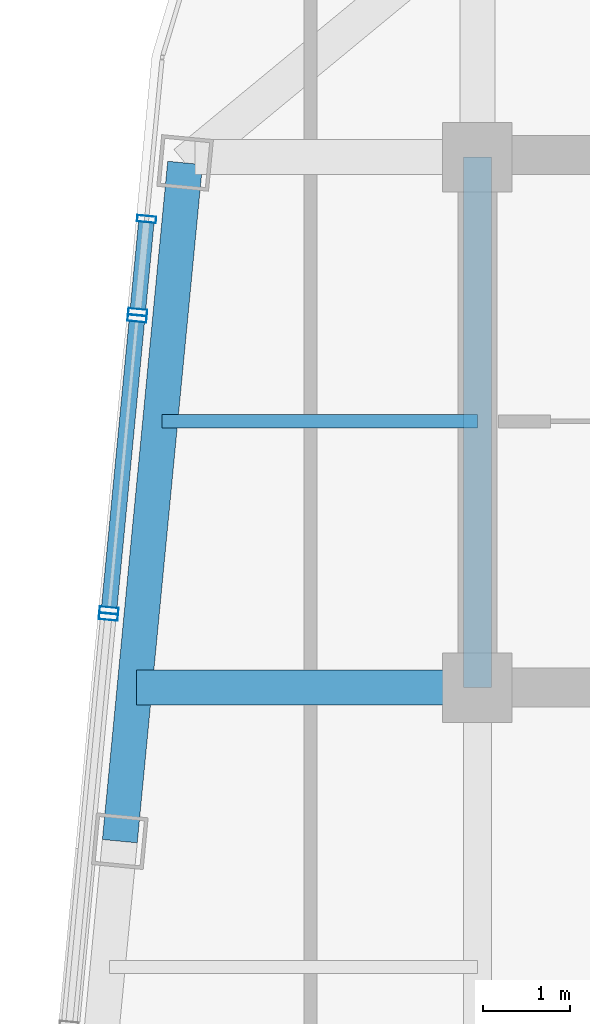
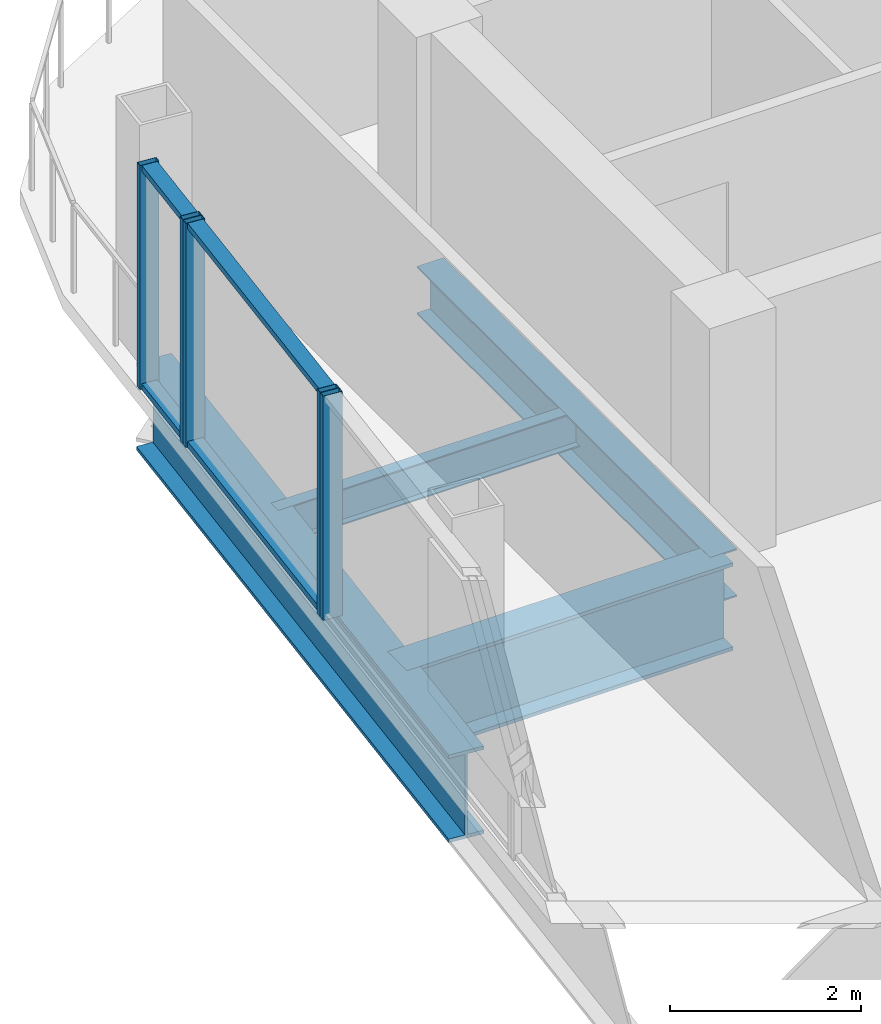
# One storey, part 9 of 22: 9 members, 4 beams, 3 elements without a shape of their own.
"""IFC4 building model written with IfcOpenShell, lengths in metres."""

from ifc_helpers import new_model, si_unit, direction, frame, origin, origin_2d, place, context, subcontext, project, spatial, hollow_rectangle, i_section, extrude, material, layer, layer_set, material_profile, profile_set, type_object, element, aggregate, save


model = new_model("IFC4")

# Units and contexts
model_context = context("Model", 3, precision=1e-05, world=origin(), true_north=direction((0.0, 1.0)))
body_context = subcontext(model_context, "Body", "Model", "MODEL_VIEW")
ifc_project = project(units=[si_unit("LENGTHUNIT", "METRE"), si_unit("AREAUNIT", "SQUARE_METRE"), si_unit("VOLUMEUNIT", "CUBIC_METRE"), si_unit("PLANEANGLEUNIT", "RADIAN"), si_unit("MASSUNIT", "GRAM", prefix="KILO")], contexts=[model_context])

# Site, building, storey
site_placement = place(None, origin())
site = spatial("IfcSite", under=ifc_project, at=site_placement, CompositionType="ELEMENT")
building_placement = place(site_placement, origin())
building = spatial("IfcBuilding", under=site, at=building_placement, Name="Qhalaya Broadcast Tower", CompositionType="ELEMENT")
storey_placement = place(building_placement, frame((0.0, 0.0, 245.89990234375)))
storey = spatial("IfcBuildingStorey", under=building, at=storey_placement, Name="L72", CompositionType="ELEMENT", Elevation=245.89990234375)

# Beams
ifc_material_1 = material(Name="Structural Steel ASTM A992 Grade 50", Category="steel")
ifc_material_profile_1 = material_profile(ifc_material_1, i_section(OverallWidth=0.154052734375, OverallDepth=0.458984375, WebThickness=0.009033203125, FlangeThickness=0.015380859375, at=origin_2d()), Name="W18X46")
ifc_profile_set_1 = profile_set([ifc_material_profile_1], Name="Structural Steel ASTM A992 Grade 50")
beam_type_1 = type_object("IfcBeamType", Name="Composite Floor Joist J04", PredefinedType="JOIST", material=ifc_profile_set_1)
beam_1_placement = place(storey_placement, frame((-13.015625, 6.89990234375, -0.41943359375), z_axis=(1.0, 0.0, 0.0), x_axis=(0.0, 1.0, 0.0)))
element("IfcBeam", 1, at=beam_1_placement, inside=storey, type_object=beam_type_1, Name="L72 J04 L72-JWE5W-1", PredefinedType="JOIST", context=body_context, shape_type="SweptSolid", body=[
    extrude(i_section(OverallWidth=0.154052734375, OverallDepth=0.458984375, WebThickness=0.009033203125, FlangeThickness=0.015380859375, at=origin_2d()), origin(), (0.0, 0.0, 1.0), 3.640625),
])
ifc_material_profile_2 = material_profile(ifc_material_1, i_section(OverallWidth=0.323974609375, OverallDepth=0.612060546875, WebThickness=0.0126953125, FlangeThickness=0.01904296875, at=origin_2d()), Name="W24X104")
ifc_profile_set_2 = profile_set([ifc_material_profile_2], Name="Structural Steel ASTM A992 Grade 50")
beam_type_2 = type_object("IfcBeamType", Name="Core Frame Tie Beam B04", PredefinedType="BEAM", material=ifc_profile_set_2)
beam_2_placement = place(storey_placement, frame((-9.375, 3.824951171875, -0.495849609375), z_axis=(0.0, 1.0, 0.0), x_axis=(-1.0, 0.0, 0.0)))
element("IfcBeam", 2, at=beam_2_placement, inside=storey, type_object=beam_type_2, Name="L72 B04 L72-CCN2", PredefinedType="BEAM", context=body_context, shape_type="SweptSolid", body=[
    extrude(i_section(OverallWidth=0.323974609375, OverallDepth=0.612060546875, WebThickness=0.0126953125, FlangeThickness=0.01904296875, at=origin_2d()), origin(), (0.0, 0.0, 1.0), 6.125),
])
ifc_material_profile_3 = material_profile(ifc_material_1, i_section(OverallWidth=0.404052734375, OverallDepth=1.117919921875, WebThickness=0.026123046875, FlangeThickness=0.044921875, at=origin_2d()), Name="W44X335")
ifc_profile_set_3 = profile_set([ifc_material_profile_3], Name="Structural Steel ASTM A992 Grade 50")
beam_type_3 = type_object("IfcBeamType", Name="Podium Long-Span Primary Girder PG1", PredefinedType="USERDEFINED", material=ifc_profile_set_3)
beam_3_placement = place(storey_placement, frame((-12.74853515625, 9.883056640625, -0.7490234375), z_axis=(-0.095834223619, -0.995397308407, 0.0), x_axis=(0.995397308407, -0.095834223619, 0.0)))
element("IfcBeam", 3, at=beam_3_placement, inside=storey, type_object=beam_type_3, Name="L72 PG1 L72-SPR-13", ObjectType="GIRDER", PredefinedType="USERDEFINED", context=body_context, shape_type="SweptSolid", body=[
    extrude(i_section(OverallWidth=0.404052734375, OverallDepth=1.117919921875, WebThickness=0.026123046875, FlangeThickness=0.044921875, at=origin_2d()), origin(), (0.0, 0.0, 1.0), 7.86669921875),
])
beam_4_placement = place(storey_placement, frame((-13.311767578125, 3.824951171875, -0.7490234375), z_axis=(1.0, 0.0, 0.0), x_axis=(0.0, 1.0, 0.0)))
element("IfcBeam", 4, at=beam_4_placement, inside=storey, type_object=beam_type_3, Name="L72 PG1 L72-PGYW3-1", ObjectType="GIRDER", PredefinedType="USERDEFINED", context=body_context, shape_type="SweptSolid", body=[
    extrude(i_section(OverallWidth=0.404052734375, OverallDepth=1.117919921875, WebThickness=0.026123046875, FlangeThickness=0.044921875, at=origin_2d()), origin(), (0.0, 0.0, 1.0), 3.936767578125),
])

# Curtain wall, members
ifc_material_2 = material(Name="Fired Architectural Terracotta", Category="masonry")
ifc_layer_1 = layer(ifc_material_2, 0.219970703125, Name="Fired Architectural Terracotta")
ifc_layer_set_1 = layer_set([ifc_layer_1], Name="Fired Architectural Terracotta")
curtain_wall_type_1 = type_object("IfcCurtainWallType", Name="Block-Cap Unitised Terracotta Spandrel Wall CW-07", PredefinedType="NOTDEFINED", material=ifc_layer_set_1)
curtain_wall_1_placement = place(storey_placement, origin())
curtain_wall_1 = element("IfcCurtainWall", 5, at=curtain_wall_1_placement, inside=storey, type_object=curtain_wall_type_1, Name="L72 Unitised Curtain Wall L72-CW-W1", PredefinedType="NOTDEFINED")
ifc_material_3 = material(Name="Anodised Aluminium 6063-T6", Category="aluminium")
ifc_material_profile_4 = material_profile(ifc_material_3, hollow_rectangle(XDim=0.074951171875, YDim=0.219970703125, WallThickness=0.00390625, at=origin_2d()), Name="ALU-MUL 75x220x4")
ifc_profile_set_4 = profile_set([ifc_material_profile_4], Name="Anodised Aluminium 6063-T6")
member_type_1 = type_object("IfcMemberType", Name="Unitised Curtain-Wall Mullion M01", PredefinedType="MULLION", material=ifc_profile_set_4)
member_1_placement = place(storey_placement, frame((-13.192626953125, 9.235107421875, 0.0), z_axis=(0.0, 0.0, 1.0), x_axis=(-0.095839545253, -0.995396796039, 0.0)))
member_1 = element("IfcMember", 6, at=member_1_placement, type_object=member_type_1, Name="CW-07 mullion 1", PredefinedType="MULLION", context=body_context, shape_type="SweptSolid", body=[
    extrude(hollow_rectangle(XDim=0.074951171875, YDim=0.219970703125, WallThickness=0.00390625, at=origin_2d()), origin(), (0.0, 0.0, 1.0), 2.860107421875),
])
member_2_placement = place(storey_placement, frame((-13.2958984375, 8.1611328125, 0.0), z_axis=(0.0, 0.0, 1.0), x_axis=(-0.095839545253, -0.995396796039, 0.0)))
member_2 = element("IfcMember", 7, at=member_2_placement, type_object=member_type_1, Name="CW-07 mullion 2", PredefinedType="MULLION", context=body_context, shape_type="SweptSolid", body=[
    extrude(hollow_rectangle(XDim=0.074951171875, YDim=0.219970703125, WallThickness=0.00390625, at=origin_2d()), origin(), (0.0, 0.0, 1.0), 2.860107421875),
])

ifc_material_4 = material(Name="Solar-Control Low-E Triple Glazing", Category="glass")
ifc_layer_2 = layer(ifc_material_4, 0.219970703125, Name="Solar-Control Low-E Triple Glazing")
ifc_layer_set_2 = layer_set([ifc_layer_2], Name="Solar-Control Low-E Triple Glazing")
curtain_wall_type_2 = type_object("IfcCurtainWallType", Name="High-Altitude Upper-Shaft Triple Low-E Curtain Wall CW-04", PredefinedType="NOTDEFINED", material=ifc_layer_set_2)
curtain_wall_2_placement = place(storey_placement, origin())
curtain_wall_2 = element("IfcCurtainWall", 8, at=curtain_wall_2_placement, inside=storey, type_object=curtain_wall_type_2, Name="L72 Unitised Curtain Wall L72-CW-W2", PredefinedType="NOTDEFINED")
member_3_placement = place(storey_placement, frame((-13.30322265625, 8.08642578125, 0.0), z_axis=(0.0, 0.0, 1.0), x_axis=(-0.095836350923, -0.995397103593, 0.0)))
member_3 = element("IfcMember", 9, at=member_3_placement, type_object=member_type_1, Name="CW-04 mullion 1", PredefinedType="MULLION", context=body_context, shape_type="SweptSolid", body=[
    extrude(hollow_rectangle(XDim=0.074951171875, YDim=0.219970703125, WallThickness=0.00390625, at=origin_2d()), origin(), (0.0, 0.0, 1.0), 2.860107421875),
])
member_4_placement = place(storey_placement, frame((-13.62744140625, 4.718017578125, 0.0), z_axis=(0.0, 0.0, 1.0), x_axis=(-0.095836350923, -0.995397103593, 0.0)))
member_4 = element("IfcMember", 10, at=member_4_placement, type_object=member_type_1, Name="CW-04 mullion 2", PredefinedType="MULLION", context=body_context, shape_type="SweptSolid", body=[
    extrude(hollow_rectangle(XDim=0.074951171875, YDim=0.219970703125, WallThickness=0.00390625, at=origin_2d()), origin(), (0.0, 0.0, 1.0), 2.860107421875),
])

# Curtain wall, member
curtain_wall_3_placement = place(storey_placement, origin())
curtain_wall_3 = element("IfcCurtainWall", 11, at=curtain_wall_3_placement, inside=storey, type_object=curtain_wall_type_1, Name="L72 Unitised Curtain Wall L72-CW-W3", PredefinedType="NOTDEFINED")
member_5_placement = place(storey_placement, frame((-13.634765625, 4.643310546875, 0.0), z_axis=(0.0, 0.0, 1.0), x_axis=(-0.095862212639, -0.995394613301, 0.0)))
member_5 = element("IfcMember", 12, at=member_5_placement, type_object=member_type_1, Name="CW-07 mullion 1", PredefinedType="MULLION", context=body_context, shape_type="SweptSolid", body=[
    extrude(hollow_rectangle(XDim=0.074951171875, YDim=0.219970703125, WallThickness=0.00390625, at=origin_2d()), origin(), (0.0, 0.0, 1.0), 2.860107421875),
])
aggregate(curtain_wall_3, [member_5])

# Member
ifc_material_profile_5 = material_profile(ifc_material_3, hollow_rectangle(XDim=0.074951171875, YDim=0.179931640625, WallThickness=0.00390625, at=origin_2d()), Name="ALU-TRN 75x180x4")
ifc_profile_set_5 = profile_set([ifc_material_profile_5], Name="Anodised Aluminium 6063-T6")
member_type_2 = type_object("IfcMemberType", Name="Unitised Curtain-Wall Transom T01", PredefinedType="USERDEFINED", material=ifc_profile_set_5)
member_6_placement = place(storey_placement, frame((-13.1962890625, 9.19775390625, 0.03759765625), z_axis=(-0.095795797955, -0.99540100718, 0.0), x_axis=(0.0, 0.0, 1.0)))
member_6 = element("IfcMember", 13, at=member_6_placement, type_object=member_type_2, Name="CW-07 transom 1.1", ObjectType="TRANSOM", PredefinedType="USERDEFINED", context=body_context, shape_type="SweptSolid", body=[
    extrude(hollow_rectangle(XDim=0.074951171875, YDim=0.179931640625, WallThickness=0.00390625, at=origin_2d()), origin(), (0.0, 0.0, 1.0), 1.004150390625),
])

member_7_placement = place(storey_placement, frame((-13.1962890625, 9.19775390625, 2.822509765625), z_axis=(-0.095795797955, -0.99540100718, 0.0), x_axis=(0.0, 0.0, 1.0)))
member_7 = element("IfcMember", 14, at=member_7_placement, type_object=member_type_2, Name="CW-07 transom 1.2", ObjectType="TRANSOM", PredefinedType="USERDEFINED", context=body_context, shape_type="SweptSolid", body=[
    extrude(hollow_rectangle(XDim=0.074951171875, YDim=0.179931640625, WallThickness=0.00390625, at=origin_2d()), origin(), (0.0, 0.0, 1.0), 1.004150390625),
])

aggregate(curtain_wall_1, [member_1, member_2, member_6, member_7])

member_8_placement = place(storey_placement, frame((-13.306884765625, 8.049072265625, 0.03759765625), z_axis=(-0.095843153712, -0.995396448601, 0.0), x_axis=(0.0, 0.0, 1.0)))
member_8 = element("IfcMember", 15, at=member_8_placement, type_object=member_type_2, Name="CW-04 transom 1.1", ObjectType="TRANSOM", PredefinedType="USERDEFINED", context=body_context, shape_type="SweptSolid", body=[
    extrude(hollow_rectangle(XDim=0.074951171875, YDim=0.179931640625, WallThickness=0.00390625, at=origin_2d()), origin(), (0.0, 0.0, 1.0), 3.308837890625),
])

member_9_placement = place(storey_placement, frame((-13.306884765625, 8.049072265625, 2.822509765625), z_axis=(-0.095843153712, -0.995396448601, 0.0), x_axis=(0.0, 0.0, 1.0)))
member_9 = element("IfcMember", 16, at=member_9_placement, type_object=member_type_2, Name="CW-04 transom 1.2", ObjectType="TRANSOM", PredefinedType="USERDEFINED", context=body_context, shape_type="SweptSolid", body=[
    extrude(hollow_rectangle(XDim=0.074951171875, YDim=0.179931640625, WallThickness=0.00390625, at=origin_2d()), origin(), (0.0, 0.0, 1.0), 3.308837890625),
])

aggregate(curtain_wall_2, [member_3, member_4, member_8, member_9])

save(model, "model.ifc")
